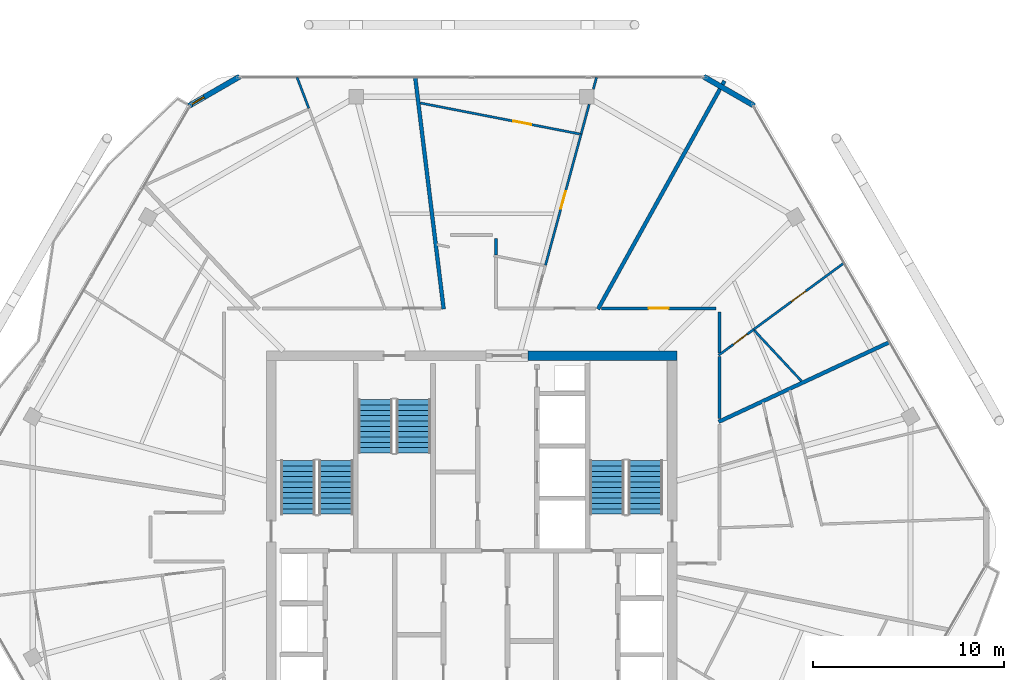
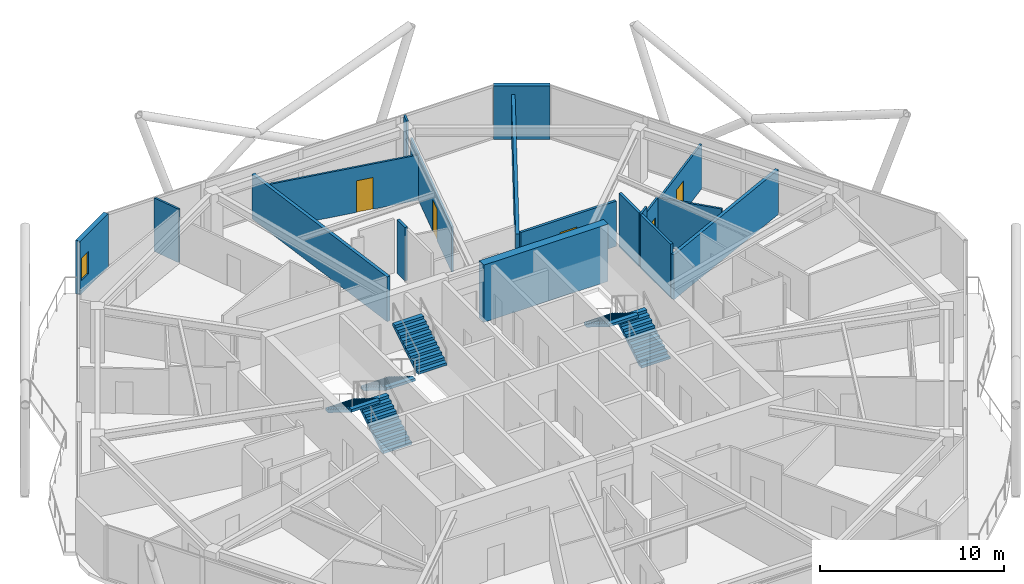
# One storey, part 21 of 24: 19 walls, 6 stair flights, 5 doors, 1 window, 6 openings, 3 elements without a shape of their own.
"""IFC4 building model written with IfcOpenShell, lengths in metres."""

from ifc_helpers import new_model, si_unit, direction, frame, frame_2d, origin, place, context, subcontext, project, spatial, polyline, rectangle, outline, extrude, material, layer, layer_set, type_object, element, fill, aggregate, save


model = new_model("IFC4")

# Units and contexts
model_context = context("Model", 3, precision=1e-05, world=origin(), true_north=direction((0.0, 1.0)))
body_context = subcontext(model_context, "Body", "Model", "MODEL_VIEW")
ifc_project = project(units=[si_unit("LENGTHUNIT", "METRE"), si_unit("AREAUNIT", "SQUARE_METRE"), si_unit("VOLUMEUNIT", "CUBIC_METRE"), si_unit("PLANEANGLEUNIT", "RADIAN"), si_unit("MASSUNIT", "GRAM", prefix="KILO")], contexts=[model_context])

# Site, building, storey
site_placement = place(None, origin())
site = spatial("IfcSite", under=ifc_project, at=site_placement, CompositionType="ELEMENT")
building_placement = place(site_placement, origin())
building = spatial("IfcBuilding", under=site, at=building_placement, Name="Zuhravey Tower", CompositionType="ELEMENT")
storey_placement = place(building_placement, frame((0.0, 0.0, 338.60009765625)))
storey = spatial("IfcBuildingStorey", under=building, at=storey_placement, Name="L86", CompositionType="ELEMENT", Elevation=338.60009765625)

# Wall
ifc_material_1 = material(Name="Concrete C50/60", Category="concrete")
ifc_layer_1 = layer(ifc_material_1, 0.5)
ifc_layer_set_1 = layer_set([ifc_layer_1], Name="Concrete C50/60")
wall_type_1 = type_object("IfcWallType", Name="Core Shear Wall 500", PredefinedType="SHEAR", material=ifc_layer_set_1)
wall_1_placement = place(storey_placement, frame((46.75, 41.5, 0.0), z_axis=(0.0, 0.0, 1.0), x_axis=(-1.0, 0.0, 0.0)))
element("IfcWall", 1, at=wall_1_placement, inside=storey, type_object=wall_type_1, Name="L86 North-East Core Shear Wall CW50", PredefinedType="SHEAR", context=body_context, shape_type="SweptSolid", body=[
    extrude(rectangle(XDim=7.800048828125, YDim=0.5, at=frame_2d((3.89990234375, 0.0))), origin(), (0.0, 0.0, 1.0), 3.7998046875),
])

# Wall, opening, door
ifc_material_2 = material(Name="Gypsum fire-rated stud partition")
ifc_layer_2 = layer(ifc_material_2, 0.159912109375)
ifc_layer_set_2 = layer_set([ifc_layer_2], Name="Gypsum fire-rated stud partition")
wall_type_2 = type_object("IfcWallType", Name="Corridor Fire Partition 160", PredefinedType="PARTITIONING", material=ifc_layer_set_2)
wall_2_placement = place(storey_placement, frame((48.800048828125, 43.97998046875, 0.0), z_axis=(0.0, 0.0, 1.0), x_axis=(-1.0, 0.0, 0.0)))
wall_2 = element("IfcWall", 2, at=wall_2_placement, inside=storey, type_object=wall_type_2, Name="L86 IW16 Partition 050", PredefinedType="PARTITIONING", context=body_context, shape_type="SweptSolid", body=[
    extrude(rectangle(XDim=5.999267578125, YDim=0.159912109375, at=frame_2d((2.99951171875, 0.0))), origin(), (0.0, 0.0, 1.0), 3.0),
])
opening_1_placement = place(wall_2_placement, frame((2.474609375, 0.0, 0.0)))
opening_1 = element("IfcOpeningElement", 3, at=opening_1_placement, cuts=wall_2, Name="Opening APD1", PredefinedType="OPENING", context=body_context, shape_type="SweptSolid", body=[
    extrude(rectangle(XDim=1.050048828125, YDim=2.14990234375, at=frame_2d((0.52490234375, 1.074951171875))), frame((0.0, 0.092041015625, 0.0), z_axis=(0.0, -1.0, 0.0), x_axis=(1.0, 0.0, 0.0)), (0.0, 0.0, 1.0), 0.183837890625),
])
ifc_material_3 = material(Name="Solid-core oak fire-rated leaf")
door_type_1 = type_object("IfcDoorType", Name="Apartment Entrance Fire Door 1050x2150", OperationType="NOTDEFINED", PredefinedType="DOOR", material=ifc_material_3)
door_1_placement = place(opening_1_placement, frame((1.050048828125, 0.0, 0.0), z_axis=(0.0, 0.0, 1.0), x_axis=(-1.0, 0.0, 0.0)))
door_1 = element("IfcDoor", 4, at=door_1_placement, inside=storey, type_object=door_type_1, Name="L86 Door 050.1", OperationType="SINGLE_SWING_LEFT", OverallHeight=2.14990234375, OverallWidth=1.050048828125, PredefinedType="DOOR", context=body_context, shape_type="SweptSolid", body=[
    extrude(rectangle(XDim=1.050048828125, YDim=2.14990234375, at=frame_2d((0.52490234375, 1.074951171875))), frame((0.0, 0.02490234375, 0.0), z_axis=(0.0, -1.0, 0.0), x_axis=(1.0, 0.0, 0.0)), (0.0, 0.0, 1.0), 0.050048828125),
])
fill(opening_1, door_1)

# Walls
wall_3_placement = place(storey_placement, frame((48.97998046875, 41.63671875, 0.0), z_axis=(0.0, 0.0, 1.0), x_axis=(0.0, 1.0, 0.0)))
element("IfcWall", 5, at=wall_3_placement, inside=storey, type_object=wall_type_2, Name="L86 IW16 Partition 121", PredefinedType="PARTITIONING", context=body_context, shape_type="SweptSolid", body=[
    extrude(rectangle(XDim=2.163330078125, YDim=0.159912109375, at=frame_2d((1.08154296875, 0.0))), origin(), (0.0, 0.0, 1.0), 3.5498046875),
])
wall_4_placement = place(storey_placement, frame((48.97998046875, 38.21337890625, 0.0), z_axis=(0.0, 0.0, 1.0), x_axis=(0.0, 1.0, 0.0)))
element("IfcWall", 6, at=wall_4_placement, inside=storey, type_object=wall_type_2, Name="L86 IW16 Partition 122", PredefinedType="PARTITIONING", context=body_context, shape_type="SweptSolid", body=[
    extrude(rectangle(XDim=3.25439453125, YDim=0.159912109375, at=frame_2d((1.627197265625, 0.0))), origin(), (0.0, 0.0, 1.0), 3.5498046875),
])
wall_5_placement = place(storey_placement, frame((37.280029296875, 46.78662109375, 0.0), z_axis=(0.0, 0.0, 1.0), x_axis=(0.0, 1.0, 0.0)))
element("IfcWall", 7, at=wall_5_placement, inside=storey, type_object=wall_type_2, Name="L86 IW16 Partition 126", PredefinedType="PARTITIONING", context=body_context, shape_type="SweptSolid", body=[
    extrude(rectangle(XDim=0.86328125, YDim=0.159912109375, at=frame_2d((0.431640625, 0.0))), origin(), (0.0, 0.0, 1.0), 3.5498046875),
])

# Wall, opening, window
ifc_material_4 = material(Name="Precast concrete C40/50", Category="concrete")
ifc_layer_3 = layer(ifc_material_4, 0.280029296875)
ifc_layer_set_3 = layer_set([ifc_layer_3], Name="Precast concrete C40/50")
wall_type_3 = type_object("IfcWallType", Name="Crown Architectural Wall 280", PredefinedType="SOLIDWALL", material=ifc_layer_set_3)
wall_6_placement = place(storey_placement, frame((21.188720703125, 54.589111328125, 0.0), z_axis=(0.0, 0.0, 1.0), x_axis=(0.866023752521, 0.50000286006, 0.0)))
wall_6 = element("IfcWall", 8, at=wall_6_placement, inside=storey, type_object=wall_type_3, Name="L86 Rounded Corner Closure Wall EW28-08", PredefinedType="SOLIDWALL", context=body_context, shape_type="SweptSolid", body=[
    extrude(rectangle(XDim=3.06494140625, YDim=0.280029296875, at=frame_2d((1.532470703125, 0.0))), origin(), (0.0, 0.0, 1.0), 3.5498046875),
])
opening_2_placement = place(wall_6_placement, frame((0.1728515625, 0.0, 0.85009765625)))
opening_2 = element("IfcOpeningElement", 9, at=opening_2_placement, cuts=wall_6, Name="Opening WN5", PredefinedType="OPENING", context=body_context, shape_type="SweptSolid", body=[
    extrude(rectangle(XDim=0.75, YDim=1.5, at=frame_2d((0.375, 0.75))), frame((0.0, 0.152099609375, 0.0), z_axis=(0.0, -1.0, 0.0), x_axis=(1.0, 0.0, 0.0)), (0.0, 0.0, 1.0), 0.303955078125),
])
ifc_material_5 = material(Name="Thermally broken aluminium and triple low-E glass", Category="aluminium")
window_type = type_object("IfcWindowType", Name="Residential Corner Casement Window 750x1500", PartitioningType="SINGLE_PANEL", PredefinedType="WINDOW", material=ifc_material_5)
window_placement = place(opening_2_placement, origin())
window = element("IfcWindow", 10, at=window_placement, inside=storey, type_object=window_type, Name="L86 Corner Casement Window WN5-08.1", OverallHeight=1.5, OverallWidth=0.75, PartitioningType="SINGLE_PANEL", PredefinedType="WINDOW", context=body_context, shape_type="SweptSolid", body=[
    extrude(rectangle(XDim=0.75, YDim=1.5, at=frame_2d((0.375, 0.75))), frame((0.0, 0.030029296875, 0.0), z_axis=(0.0, -1.0, 0.0), x_axis=(1.0, 0.0, 0.0)), (0.0, 0.0, 1.0), 0.06005859375),
])
fill(opening_2, window)

# Walls
wall_7_placement = place(storey_placement, frame((48.156982421875, 56.12158203125, 0.0), z_axis=(0.0, 0.0, 1.0), x_axis=(0.866023752521, -0.50000286006, 0.0)))
element("IfcWall", 11, at=wall_7_placement, inside=storey, type_object=wall_type_3, Name="L86 Rounded Corner Closure Wall EW28-10", PredefinedType="SOLIDWALL", context=body_context, shape_type="SweptSolid", body=[
    extrude(rectangle(XDim=3.06494140625, YDim=0.280029296875, at=frame_2d((1.532470703125, 0.0))), origin(), (0.0, 0.0, 1.0), 3.5498046875),
])
ifc_material_6 = material(Name="Gypsum double-stud party assembly")
ifc_layer_4 = layer(ifc_material_6, 0.199951171875)
ifc_layer_set_4 = layer_set([ifc_layer_4], Name="Gypsum double-stud party assembly")
wall_type_4 = type_object("IfcWallType", Name="Inter-Tenancy Party Wall 200", PredefinedType="PARTITIONING", material=ifc_layer_set_4)
wall_8_placement = place(storey_placement, frame((48.93994140625, 38.033935546875, 0.0), z_axis=(0.0, 0.0, 1.0), x_axis=(0.906309881833, 0.422613769406, 0.0)))
element("IfcWall", 12, at=wall_8_placement, inside=storey, type_object=wall_type_4, Name="L86 IW20 Partition 091", PredefinedType="PARTITIONING", context=body_context, shape_type="SweptSolid", body=[
    extrude(rectangle(XDim=9.888427734375, YDim=0.199951171875, at=frame_2d((4.9443359375, 0.0))), origin(), (0.0, 0.0, 1.0), 2.969970703125),
])
wall_9_placement = place(storey_placement, frame((42.618408203125, 43.93994140625, 0.0), z_axis=(0.0, 0.0, 1.0), x_axis=(0.484817892783, 0.874615121546, 0.0)))
element("IfcWall", 13, at=wall_9_placement, inside=storey, type_object=wall_type_4, Name="L86 IW20 Partition 094", PredefinedType="PARTITIONING", context=body_context, shape_type="SweptSolid", body=[
    extrude(rectangle(XDim=13.67138671875, YDim=0.199951171875, at=frame_2d((6.835693359375, 0.0))), origin(), (0.0, 0.0, 1.0), 2.969970703125),
])
wall_10_placement = place(storey_placement, frame((34.533935546875, 43.93994140625, 0.0), z_axis=(0.0, 0.0, 1.0), x_axis=(-0.121856786941, 0.992547693301, 0.0)))
element("IfcWall", 14, at=wall_10_placement, inside=storey, type_object=wall_type_4, Name="L86 IW20 Partition 100", PredefinedType="PARTITIONING", context=body_context, shape_type="SweptSolid", body=[
    extrude(rectangle(XDim=12.225341796875, YDim=0.199951171875, at=frame_2d((6.11279296875, 0.0))), origin(), (0.0, 0.0, 1.0), 2.969970703125),
])

# Wall, opening, door
ifc_material_7 = material(Name="Gypsum metal-stud partition")
ifc_layer_5 = layer(ifc_material_7, 0.1201171875)
ifc_layer_set_5 = layer_set([ifc_layer_5], Name="Gypsum metal-stud partition")
wall_type_5 = type_object("IfcWallType", Name="Unit Internal Partition 120", PredefinedType="PARTITIONING", material=ifc_layer_set_5)
wall_11_placement = place(storey_placement, frame((49.550048828125, 41.9716796875, 0.0), z_axis=(0.0, 0.0, 1.0), x_axis=(0.805387500531, 0.592748660047, 0.0)))
wall_11 = element("IfcWall", 15, at=wall_11_placement, inside=storey, type_object=wall_type_5, Name="L86 IW12 Partition 048", PredefinedType="PARTITIONING", context=body_context, shape_type="SweptSolid", body=[
    extrude(rectangle(XDim=1.53515625, YDim=0.1201171875, at=frame_2d((0.767578125, 0.0))), origin(), (0.0, 0.0, 1.0), 3.199951171875),
])
opening_3_placement = place(wall_11_placement, frame((0.199951171875, 0.0, 0.0)))
opening_3 = element("IfcOpeningElement", 16, at=opening_3_placement, cuts=wall_11, Name="Opening WCD1", PredefinedType="OPENING", context=body_context, shape_type="SweptSolid", body=[
    extrude(rectangle(XDim=0.89990234375, YDim=2.10009765625, at=frame_2d((0.449951171875, 1.050048828125))), frame((0.0, 0.072021484375, 0.0), z_axis=(0.0, -1.0, 0.0), x_axis=(1.0, 0.0, 0.0)), (0.0, 0.0, 1.0), 0.14404296875),
])
ifc_material_8 = material(Name="Moisture-resistant timber leaf", Category="wood")
door_type_2 = type_object("IfcDoorType", Name="Bathroom & WC Internal Door 900x2100", OperationType="NOTDEFINED", PredefinedType="DOOR", material=ifc_material_8)
door_2_placement = place(opening_3_placement, frame((0.89990234375, 0.0, 0.0), z_axis=(0.0, 0.0, 1.0), x_axis=(-1.0, 0.0, 0.0)))
door_2 = element("IfcDoor", 17, at=door_2_placement, inside=storey, type_object=door_type_2, Name="Apartment L86-08 Bathroom Door", OperationType="SINGLE_SWING_LEFT", OverallHeight=2.10009765625, OverallWidth=0.89990234375, PredefinedType="DOOR", context=body_context, shape_type="SweptSolid", body=[
    extrude(rectangle(XDim=0.89990234375, YDim=2.10009765625, at=frame_2d((0.449951171875, 1.050048828125))), frame((0.0, 0.02490234375, 0.0), z_axis=(0.0, -1.0, 0.0), x_axis=(1.0, 0.0, 0.0)), (0.0, 0.0, 1.0), 0.050048828125),
])
fill(opening_3, door_2)

wall_12_placement = place(storey_placement, frame((50.786376953125, 42.881591796875, 0.0), z_axis=(0.0, 0.0, 1.0), x_axis=(0.805413284852, 0.592713624429, 0.0)))
wall_12 = element("IfcWall", 18, at=wall_12_placement, inside=storey, type_object=wall_type_5, Name="L86 IW12 Partition 049", PredefinedType="PARTITIONING", context=body_context, shape_type="SweptSolid", body=[
    extrude(rectangle(XDim=5.868896484375, YDim=0.1201171875, at=frame_2d((2.9345703125, 0.0))), origin(), (0.0, 0.0, 1.0), 2.969970703125),
])
opening_4_placement = place(wall_12_placement, frame((2.434326171875, 0.0, 0.0)))
opening_4 = element("IfcOpeningElement", 19, at=opening_4_placement, cuts=wall_12, Name="Opening IND1", PredefinedType="OPENING", context=body_context, shape_type="SweptSolid", body=[
    extrude(rectangle(XDim=0.949951171875, YDim=2.10009765625, at=frame_2d((0.47509765625, 1.050048828125))), frame((0.0, 0.072021484375, 0.0), z_axis=(0.0, -1.0, 0.0), x_axis=(1.0, 0.0, 0.0)), (0.0, 0.0, 1.0), 0.14404296875),
])
ifc_material_9 = material(Name="Painted engineered timber leaf", Category="wood")
door_type_3 = type_object("IfcDoorType", Name="Internal Room & Bedroom Door 950x2100", OperationType="NOTDEFINED", PredefinedType="DOOR", material=ifc_material_9)
door_3_placement = place(opening_4_placement, frame((0.949951171875, 0.0, 0.0), z_axis=(0.0, 0.0, 1.0), x_axis=(-1.0, 0.0, 0.0)))
door_3 = element("IfcDoor", 20, at=door_3_placement, inside=storey, type_object=door_type_3, Name="Apartment L86-08 Bedroom 1 Door", OperationType="SINGLE_SWING_RIGHT", OverallHeight=2.10009765625, OverallWidth=0.949951171875, PredefinedType="DOOR", context=body_context, shape_type="SweptSolid", body=[
    extrude(rectangle(XDim=0.949951171875, YDim=2.10009765625, at=frame_2d((0.47509765625, 1.050048828125))), frame((0.0, 0.02490234375, 0.0), z_axis=(0.0, -1.0, 0.0), x_axis=(1.0, 0.0, 0.0)), (0.0, 0.0, 1.0), 0.050048828125),
])
fill(opening_4, door_3)

wall_13_placement = place(storey_placement, frame((39.868896484375, 46.239501953125, 0.0), z_axis=(0.0, 0.0, 1.0), x_axis=(0.262173652668, 0.965020712652, 0.0)))
wall_13 = element("IfcWall", 21, at=wall_13_placement, inside=storey, type_object=wall_type_5, Name="L86 IW12 Partition 052", PredefinedType="PARTITIONING", context=body_context, shape_type="SweptSolid", body=[
    extrude(rectangle(XDim=7.136962890625, YDim=0.1201171875, at=frame_2d((3.568359375, 0.0))), origin(), (0.0, 0.0, 1.0), 3.0),
])
opening_5_placement = place(wall_13_placement, frame((3.068359375, 0.0, 0.0)))
opening_5 = element("IfcOpeningElement", 22, at=opening_5_placement, cuts=wall_13, Name="Opening IND1", PredefinedType="OPENING", context=body_context, shape_type="SweptSolid", body=[
    extrude(rectangle(XDim=0.949951171875, YDim=2.10009765625, at=frame_2d((0.47509765625, 1.050048828125))), frame((0.0, 0.072021484375, 0.0), z_axis=(0.0, -1.0, 0.0), x_axis=(1.0, 0.0, 0.0)), (0.0, 0.0, 1.0), 0.14404296875),
])
door_4_placement = place(opening_5_placement, origin())
door_4 = element("IfcDoor", 23, at=door_4_placement, inside=storey, type_object=door_type_3, Name="Apartment L86-09 Home Office Door", OperationType="SINGLE_SWING_LEFT", OverallHeight=2.10009765625, OverallWidth=0.949951171875, PredefinedType="DOOR", context=body_context, shape_type="SweptSolid", body=[
    extrude(rectangle(XDim=0.949951171875, YDim=2.10009765625, at=frame_2d((0.47509765625, 1.050048828125))), frame((0.0, 0.02490234375, 0.0), z_axis=(0.0, -1.0, 0.0), x_axis=(1.0, 0.0, 0.0)), (0.0, 0.0, 1.0), 0.050048828125),
])
fill(opening_5, door_4)

wall_14_placement = place(storey_placement, frame((41.66650390625, 53.115478515625, 0.0), z_axis=(0.0, 0.0, 1.0), x_axis=(-0.981630458745, 0.190792144662, 0.0)))
wall_14 = element("IfcWall", 24, at=wall_14_placement, inside=storey, type_object=wall_type_5, Name="L86 IW12 Partition 053", PredefinedType="PARTITIONING", context=body_context, shape_type="SweptSolid", body=[
    extrude(rectangle(XDim=8.5146484375, YDim=0.1201171875, at=frame_2d((4.25732421875, 0.0))), origin(), (0.0, 0.0, 1.0), 3.0),
])
opening_6_placement = place(wall_14_placement, frame((2.59814453125, 0.0, 0.0)))
opening_6 = element("IfcOpeningElement", 25, at=opening_6_placement, cuts=wall_14, Name="Opening IND1", PredefinedType="OPENING", context=body_context, shape_type="SweptSolid", body=[
    extrude(rectangle(XDim=0.949951171875, YDim=2.10009765625, at=frame_2d((0.47509765625, 1.050048828125))), frame((0.0, 0.072021484375, 0.0), z_axis=(0.0, -1.0, 0.0), x_axis=(1.0, 0.0, 0.0)), (0.0, 0.0, 1.0), 0.14404296875),
])
door_5_placement = place(opening_6_placement, frame((0.949951171875, 0.0, 0.0), z_axis=(0.0, 0.0, 1.0), x_axis=(-1.0, 0.0, 0.0)))
door_5 = element("IfcDoor", 26, at=door_5_placement, inside=storey, type_object=door_type_3, Name="Apartment L86-09 Bedroom 1 Door", OperationType="SINGLE_SWING_RIGHT", OverallHeight=2.10009765625, OverallWidth=0.949951171875, PredefinedType="DOOR", context=body_context, shape_type="SweptSolid", body=[
    extrude(rectangle(XDim=0.949951171875, YDim=2.10009765625, at=frame_2d((0.47509765625, 1.050048828125))), frame((0.0, 0.02490234375, 0.0), z_axis=(0.0, -1.0, 0.0), x_axis=(1.0, 0.0, 0.0)), (0.0, 0.0, 1.0), 0.050048828125),
])
fill(opening_6, door_5)

# Walls
wall_15_placement = place(storey_placement, frame((48.93505859375, 41.51904296875, 0.0), z_axis=(0.0, 0.0, 1.0), x_axis=(0.805377162159, 0.592762706885, 0.0)))
element("IfcWall", 27, at=wall_15_placement, inside=storey, type_object=wall_type_5, Name="L86 IW12 Partition 092", PredefinedType="PARTITIONING", context=body_context, shape_type="SweptSolid", body=[
    extrude(rectangle(XDim=0.763671875, YDim=0.1201171875, at=frame_2d((0.3818359375, 0.0))), origin(), (0.0, 0.0, 1.0), 3.5498046875),
])
wall_16_placement = place(storey_placement, frame((53.27587890625, 40.175048828125, 0.0), z_axis=(0.0, 0.0, 1.0), x_axis=(-0.681968956902, 0.731381119405, 0.0)))
element("IfcWall", 28, at=wall_16_placement, inside=storey, type_object=wall_type_5, Name="L86 IW12 Partition 093", PredefinedType="PARTITIONING", context=body_context, shape_type="SweptSolid", body=[
    extrude(rectangle(XDim=3.61181640625, YDim=0.1201171875, at=frame_2d((1.805908203125, 0.0))), origin(), (0.0, 0.0, 1.0), 3.199951171875),
])
wall_17_placement = place(storey_placement, frame((41.739990234375, 53.126708984375, 0.0), z_axis=(0.0, 0.0, 1.0), x_axis=(0.262251392031, 0.964999589315, 0.0)))
element("IfcWall", 29, at=wall_17_placement, inside=storey, type_object=wall_type_5, Name="L86 IW12 Partition 096", PredefinedType="PARTITIONING", context=body_context, shape_type="SweptSolid", body=[
    extrude(rectangle(XDim=1.598388671875, YDim=0.1201171875, at=frame_2d((0.79931640625, 0.0))), origin(), (0.0, 0.0, 1.0), 3.0),
])
wall_18_placement = place(storey_placement, frame((42.373779296875, 55.458984375, 0.0), z_axis=(0.0, 0.0, 1.0), x_axis=(0.262183526331, 0.965018030153, 0.0)))
element("IfcWall", 30, at=wall_18_placement, inside=storey, type_object=wall_type_5, Name="L86 IW12 Partition 097", PredefinedType="PARTITIONING", context=body_context, shape_type="SweptSolid", body=[
    extrude(rectangle(XDim=0.6416015625, YDim=0.1201171875, at=frame_2d((0.32080078125, 0.0))), origin(), (0.0, 0.0, 1.0), 3.5498046875),
])
wall_19_placement = place(storey_placement, frame((27.46826171875, 54.459716796875, 0.0), z_axis=(0.0, 0.0, 1.0), x_axis=(-0.35502809258, 0.934855632426, 0.0)))
element("IfcWall", 31, at=wall_19_placement, inside=storey, type_object=wall_type_5, Name="L86 IW12 Partition 102", PredefinedType="PARTITIONING", context=body_context, shape_type="SweptSolid", body=[
    extrude(rectangle(XDim=1.732177734375, YDim=0.1201171875, at=frame_2d((0.8662109375, 0.0))), origin(), (0.0, 0.0, 1.0), 3.5498046875),
])

# Stair, stair flights
ifc_material_10 = material(Name="Concrete C40/50", Category="concrete")
stair_type = type_object("IfcStairType", Name="Housing Storey Stair Assembly 3800", PredefinedType="HALF_TURN_STAIR", material=ifc_material_10)
stair_1_placement = place(storey_placement, origin())
stair_1 = element("IfcStair", 32, at=stair_1_placement, inside=storey, type_object=stair_type, Name="L86 Core Exit Stair ST1", PredefinedType="HALF_TURN_STAIR")
stair_flight_type = type_object("IfcStairFlightType", Name="Housing Storey Stair Flight 3800", PredefinedType="STRAIGHT", material=ifc_material_10)
stair_flight_1_placement = place(storey_placement, frame((28.89990234375, 33.199951171875, 0.0), z_axis=(0.0, 0.0, 1.0), x_axis=(0.0, 1.0, 0.0)))
stair_flight_1 = element("IfcStairFlight", 33, at=stair_flight_1_placement, type_object=stair_flight_type, Name="ST1 flight 1", NumberOfRisers=11, NumberOfTreads=10, PredefinedType="STRAIGHT", RiserHeight=0.172727273, TreadLength=0.28, context=body_context, shape_type="SweptSolid", body=[
    extrude(outline(polyline([(0.0, 0.0), (0.0, 0.172607421875), (0.280029296875, 0.172607421875), (0.280029296875, 0.345458984375), (0.56005859375, 0.345458984375), (0.56005859375, 0.51806640625), (0.840087890625, 0.51806640625), (0.840087890625, 0.69091796875), (1.1201171875, 0.69091796875), (1.1201171875, 0.863525390625), (1.39990234375, 0.863525390625), (1.39990234375, 1.036376953125), (1.679931640625, 1.036376953125), (1.679931640625, 1.208984375), (1.9599609375, 1.208984375), (1.9599609375, 1.3818359375), (2.239990234375, 1.3818359375), (2.239990234375, 1.554443359375), (2.52001953125, 1.554443359375), (2.52001953125, 1.727294921875), (2.800048828125, 1.727294921875), (2.800048828125, 1.89990234375), (2.800048828125, 1.551025390625), (0.285400390625, 0.0), (0.0, 0.0)])), frame((0.0, 0.89990234375, 0.0), z_axis=(0.0, -1.0, 0.0), x_axis=(1.0, 0.0, 0.0)), (0.0, 0.0, 1.0), 1.800048828125),
])
stair_flight_2_placement = place(storey_placement, frame((26.89990234375, 36.0, 1.89990234375), z_axis=(0.0, 0.0, 1.0), x_axis=(0.0, -1.0, 0.0)))
stair_flight_2 = element("IfcStairFlight", 34, at=stair_flight_2_placement, type_object=stair_flight_type, Name="ST1 flight 2", NumberOfRisers=11, NumberOfTreads=10, PredefinedType="STRAIGHT", RiserHeight=0.172727273, TreadLength=0.28, context=body_context, shape_type="SweptSolid", body=[
    extrude(outline(polyline([(0.0, 0.0), (0.0, 0.172607421875), (0.280029296875, 0.172607421875), (0.280029296875, 0.345458984375), (0.56005859375, 0.345458984375), (0.56005859375, 0.51806640625), (0.840087890625, 0.51806640625), (0.840087890625, 0.69091796875), (1.1201171875, 0.69091796875), (1.1201171875, 0.863525390625), (1.39990234375, 0.863525390625), (1.39990234375, 1.036376953125), (1.679931640625, 1.036376953125), (1.679931640625, 1.208984375), (1.9599609375, 1.208984375), (1.9599609375, 1.3818359375), (2.239990234375, 1.3818359375), (2.239990234375, 1.554443359375), (2.52001953125, 1.554443359375), (2.52001953125, 1.727294921875), (2.800048828125, 1.727294921875), (2.800048828125, 1.89990234375), (2.800048828125, 1.551025390625), (0.285400390625, 0.0), (0.0, 0.0)])), frame((0.0, 0.89990234375, 0.0), z_axis=(0.0, -1.0, 0.0), x_axis=(1.0, 0.0, 0.0)), (0.0, 0.0, 1.0), 1.800048828125),
])
aggregate(stair_1, [stair_flight_1, stair_flight_2])

stair_2_placement = place(storey_placement, origin())
stair_2 = element("IfcStair", 35, at=stair_2_placement, inside=storey, type_object=stair_type, Name="L86 Core Exit Stair ST2", PredefinedType="HALF_TURN_STAIR")
stair_flight_3_placement = place(storey_placement, frame((45.10009765625, 33.199951171875, 0.0), z_axis=(0.0, 0.0, 1.0), x_axis=(0.0, 1.0, 0.0)))
stair_flight_3 = element("IfcStairFlight", 36, at=stair_flight_3_placement, type_object=stair_flight_type, Name="ST2 flight 1", NumberOfRisers=11, NumberOfTreads=10, PredefinedType="STRAIGHT", RiserHeight=0.172727273, TreadLength=0.28, context=body_context, shape_type="SweptSolid", body=[
    extrude(outline(polyline([(0.0, 0.0), (0.0, 0.172607421875), (0.280029296875, 0.172607421875), (0.280029296875, 0.345458984375), (0.56005859375, 0.345458984375), (0.56005859375, 0.51806640625), (0.840087890625, 0.51806640625), (0.840087890625, 0.69091796875), (1.1201171875, 0.69091796875), (1.1201171875, 0.863525390625), (1.39990234375, 0.863525390625), (1.39990234375, 1.036376953125), (1.679931640625, 1.036376953125), (1.679931640625, 1.208984375), (1.9599609375, 1.208984375), (1.9599609375, 1.3818359375), (2.239990234375, 1.3818359375), (2.239990234375, 1.554443359375), (2.52001953125, 1.554443359375), (2.52001953125, 1.727294921875), (2.800048828125, 1.727294921875), (2.800048828125, 1.89990234375), (2.800048828125, 1.551025390625), (0.285400390625, 0.0), (0.0, 0.0)])), frame((0.0, 0.89990234375, 0.0), z_axis=(0.0, -1.0, 0.0), x_axis=(1.0, 0.0, 0.0)), (0.0, 0.0, 1.0), 1.800048828125),
])
stair_flight_4_placement = place(storey_placement, frame((43.10009765625, 36.0, 1.89990234375), z_axis=(0.0, 0.0, 1.0), x_axis=(0.0, -1.0, 0.0)))
stair_flight_4 = element("IfcStairFlight", 37, at=stair_flight_4_placement, type_object=stair_flight_type, Name="ST2 flight 2", NumberOfRisers=11, NumberOfTreads=10, PredefinedType="STRAIGHT", RiserHeight=0.172727273, TreadLength=0.28, context=body_context, shape_type="SweptSolid", body=[
    extrude(outline(polyline([(0.0, 0.0), (0.0, 0.172607421875), (0.280029296875, 0.172607421875), (0.280029296875, 0.345458984375), (0.56005859375, 0.345458984375), (0.56005859375, 0.51806640625), (0.840087890625, 0.51806640625), (0.840087890625, 0.69091796875), (1.1201171875, 0.69091796875), (1.1201171875, 0.863525390625), (1.39990234375, 0.863525390625), (1.39990234375, 1.036376953125), (1.679931640625, 1.036376953125), (1.679931640625, 1.208984375), (1.9599609375, 1.208984375), (1.9599609375, 1.3818359375), (2.239990234375, 1.3818359375), (2.239990234375, 1.554443359375), (2.52001953125, 1.554443359375), (2.52001953125, 1.727294921875), (2.800048828125, 1.727294921875), (2.800048828125, 1.89990234375), (2.800048828125, 1.551025390625), (0.285400390625, 0.0), (0.0, 0.0)])), frame((0.0, 0.89990234375, 0.0), z_axis=(0.0, -1.0, 0.0), x_axis=(1.0, 0.0, 0.0)), (0.0, 0.0, 1.0), 1.800048828125),
])
aggregate(stair_2, [stair_flight_3, stair_flight_4])

stair_3_placement = place(storey_placement, origin())
stair_3 = element("IfcStair", 38, at=stair_3_placement, inside=storey, type_object=stair_type, Name="L86 Core Exit Stair ST3", PredefinedType="HALF_TURN_STAIR")
stair_flight_5_placement = place(storey_placement, frame((30.949951171875, 39.199951171875, 0.0), z_axis=(0.0, 0.0, 1.0), x_axis=(0.0, -1.0, 0.0)))
stair_flight_5 = element("IfcStairFlight", 39, at=stair_flight_5_placement, type_object=stair_flight_type, Name="ST3 flight 1", NumberOfRisers=11, NumberOfTreads=10, PredefinedType="STRAIGHT", RiserHeight=0.172727273, TreadLength=0.28, context=body_context, shape_type="SweptSolid", body=[
    extrude(outline(polyline([(0.0, 0.0), (0.0, 0.172607421875), (0.280029296875, 0.172607421875), (0.280029296875, 0.345458984375), (0.56005859375, 0.345458984375), (0.56005859375, 0.51806640625), (0.840087890625, 0.51806640625), (0.840087890625, 0.69091796875), (1.1201171875, 0.69091796875), (1.1201171875, 0.863525390625), (1.39990234375, 0.863525390625), (1.39990234375, 1.036376953125), (1.679931640625, 1.036376953125), (1.679931640625, 1.208984375), (1.9599609375, 1.208984375), (1.9599609375, 1.3818359375), (2.239990234375, 1.3818359375), (2.239990234375, 1.554443359375), (2.52001953125, 1.554443359375), (2.52001953125, 1.727294921875), (2.800048828125, 1.727294921875), (2.800048828125, 1.89990234375), (2.800048828125, 1.551025390625), (0.285400390625, 0.0), (0.0, 0.0)])), frame((0.0, 0.89990234375, 0.0), z_axis=(0.0, -1.0, 0.0), x_axis=(1.0, 0.0, 0.0)), (0.0, 0.0, 1.0), 1.800048828125),
])
stair_flight_6_placement = place(storey_placement, frame((32.949951171875, 36.39990234375, 1.89990234375), z_axis=(0.0, 0.0, 1.0), x_axis=(0.0, 1.0, 0.0)))
stair_flight_6 = element("IfcStairFlight", 40, at=stair_flight_6_placement, type_object=stair_flight_type, Name="ST3 flight 2", NumberOfRisers=11, NumberOfTreads=10, PredefinedType="STRAIGHT", RiserHeight=0.172727273, TreadLength=0.28, context=body_context, shape_type="SweptSolid", body=[
    extrude(outline(polyline([(0.0, 0.0), (0.0, 0.172607421875), (0.280029296875, 0.172607421875), (0.280029296875, 0.345458984375), (0.56005859375, 0.345458984375), (0.56005859375, 0.51806640625), (0.840087890625, 0.51806640625), (0.840087890625, 0.69091796875), (1.1201171875, 0.69091796875), (1.1201171875, 0.863525390625), (1.39990234375, 0.863525390625), (1.39990234375, 1.036376953125), (1.679931640625, 1.036376953125), (1.679931640625, 1.208984375), (1.9599609375, 1.208984375), (1.9599609375, 1.3818359375), (2.239990234375, 1.3818359375), (2.239990234375, 1.554443359375), (2.52001953125, 1.554443359375), (2.52001953125, 1.727294921875), (2.800048828125, 1.727294921875), (2.800048828125, 1.89990234375), (2.800048828125, 1.551025390625), (0.285400390625, 0.0), (0.0, 0.0)])), frame((0.0, 0.89990234375, 0.0), z_axis=(0.0, -1.0, 0.0), x_axis=(1.0, 0.0, 0.0)), (0.0, 0.0, 1.0), 1.800048828125),
])
aggregate(stair_3, [stair_flight_5, stair_flight_6])

save(model, "model.ifc")
